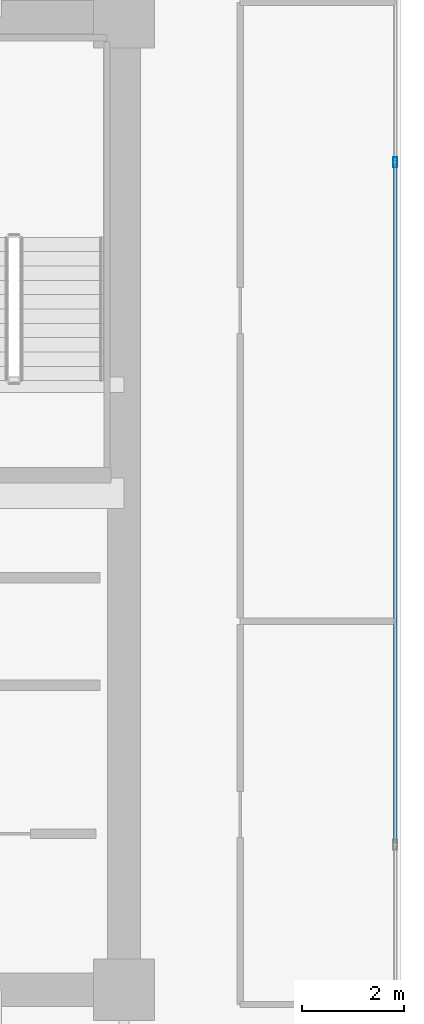
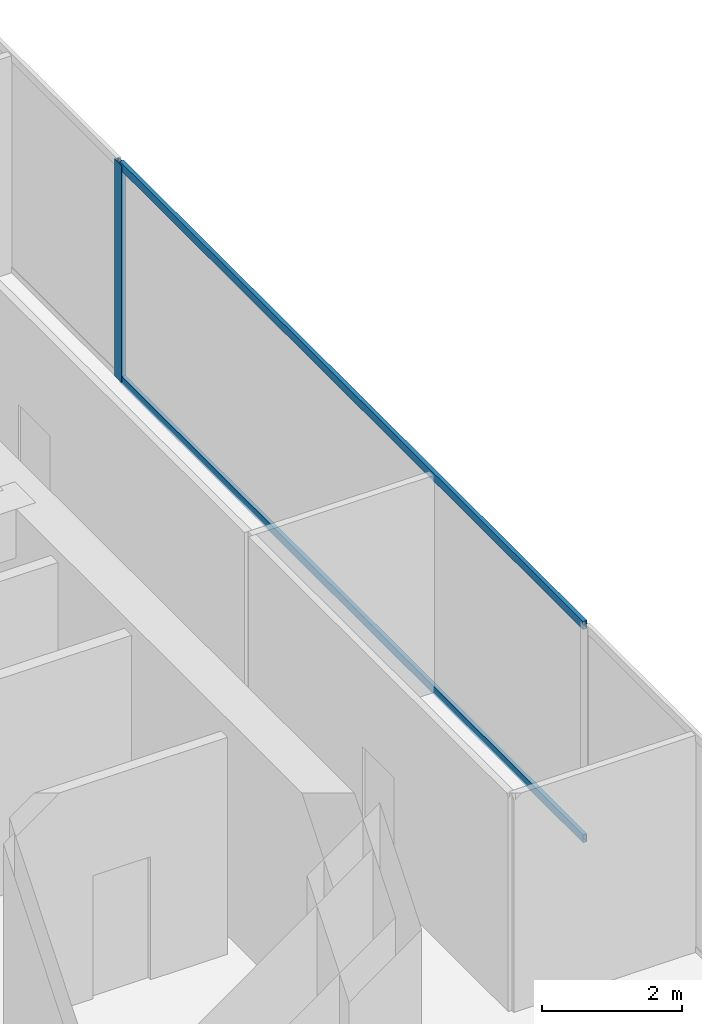
# One storey, part 22 of 31: 3 members, 1 element without a shape of its own.
"""IFC4 building model written with IfcOpenShell, lengths in metres."""

import ifcopenshell
import ifcopenshell.guid

model = None  # the IFC model being written
_history = None  # IfcOwnerHistory: only IFC2X3 demands one
_inside = {}  # id of a spatial element -> (the spatial element, [elements in it])
_under = {}  # id of a project, library or spatial element -> (it, [spatial elements below it])
_declared = {}  # id of a project -> (the project, [libraries it declares])
_typed = {}  # id of a type object -> (the type object, [elements of that type])
_made_of = {}  # id of a material, layer set ... -> (it, [elements and type objects made of it])


def new_model(schema):
    """Start an empty IFC model of exactly this schema.

    Asked for "IFC4X3", IfcOpenShell would pick the latest addendum, in which some entities
    have other attributes; the version numbers below select the first issue.
    IFC2X3 requires an IfcOwnerHistory on every rooted entity: one is made here for all.
    """
    global model, _history
    if schema == "IFC4X3":
        model = ifcopenshell.file(schema_version=(4, 3, 0, 0))
    else:
        model = ifcopenshell.file(schema=schema)
    _inside.clear()
    _under.clear()
    _declared.clear()
    _typed.clear()
    _made_of.clear()
    _history = None
    if model.schema == "IFC2X3":
        org = make("IfcOrganization", Name="unknown")
        user = make(
            "IfcPersonAndOrganization",
            ThePerson=make("IfcPerson", FamilyName="unknown"),
            TheOrganization=org,
        )
        app = make(
            "IfcApplication",
            ApplicationDeveloper=org,
            Version="unknown",
            ApplicationFullName="unknown",
            ApplicationIdentifier="unknown",
        )
        _history = make(
            "IfcOwnerHistory",
            OwningUser=user,
            OwningApplication=app,
            ChangeAction="ADDED",
            CreationDate=0,
        )
    return model


def make(cls, **values):
    """One entity of the class cls with the attributes given. An attribute that is None is left unset."""
    return model.create_entity(
        cls, **{name: value for name, value in values.items() if value is not None}
    )


def rooted(cls, **values):
    """An entity with a GlobalId (a new one), such as an element, a storey or a relation."""
    return make(cls, GlobalId=ifcopenshell.guid.new(), OwnerHistory=_history, **values)


def si_unit(unit_type, name, prefix=None):
    """IfcSIUnit, for example si_unit("LENGTHUNIT", "METRE", prefix="MILLI")."""
    return make("IfcSIUnit", UnitType=unit_type, Prefix=prefix, Name=name)


def assignment(units):
    """IfcUnitAssignment: the units of a project."""
    return None if units is None else make("IfcUnitAssignment", Units=units)


def point(xyz):
    """IfcCartesianPoint."""
    return None if xyz is None else make("IfcCartesianPoint", Coordinates=xyz)


def direction(xyz):
    """IfcDirection."""
    return None if xyz is None else make("IfcDirection", DirectionRatios=xyz)


def frame(location, z_axis=None, x_axis=None):
    """IfcAxis2Placement3D, a coordinate frame: its origin and axes. An axis left out is left unset."""
    return make(
        "IfcAxis2Placement3D",
        Location=point(location),
        Axis=direction(z_axis),
        RefDirection=direction(x_axis),
    )


def frame_2d(location, x_axis=None):
    """IfcAxis2Placement2D, a coordinate frame in the plane: its origin and x axis."""
    return make(
        "IfcAxis2Placement2D", Location=point(location), RefDirection=direction(x_axis)
    )


def origin():
    """The frame at (0, 0, 0) with its axes left unset."""
    return frame((0.0, 0.0, 0.0))


def origin_2d():
    """The frame at (0, 0) in the plane with its x axis left unset."""
    return frame_2d((0.0, 0.0))


def place(relative_to, where):
    """IfcLocalPlacement: puts the frame where relative to a parent placement (None: the world)."""
    return make(
        "IfcLocalPlacement", PlacementRelTo=relative_to, RelativePlacement=where
    )


def context(
    kind, dimensions, precision=None, world=None, true_north=None, identifier=None
):
    """IfcGeometricRepresentationContext, for example the 3D "Model" context."""
    return make(
        "IfcGeometricRepresentationContext",
        ContextIdentifier=identifier,
        ContextType=kind,
        CoordinateSpaceDimension=dimensions,
        Precision=precision,
        WorldCoordinateSystem=world,
        TrueNorth=true_north,
    )


def subcontext(parent, identifier, kind, view, scale=None):
    """IfcGeometricRepresentationSubContext, for example "Body" below "Model"."""
    return make(
        "IfcGeometricRepresentationSubContext",
        ContextIdentifier=identifier,
        ContextType=kind,
        ParentContext=parent,
        TargetScale=scale,
        TargetView=view,
    )


def project(units=None, contexts=None):
    """IfcProject with its units and contexts."""
    return rooted(
        "IfcProject",
        Name="project",
        RepresentationContexts=contexts,
        UnitsInContext=assignment(units),
    )


def spatial(cls, under=None, at=None, **own):
    """A site, building, storey or space (cls), placed at a placement, below another one or the project."""
    s = rooted(cls, ObjectPlacement=at, **own)
    if under is not None:
        _under.setdefault(under.id(), (under, []))[1].append(s)
    return s


def profile(cls, at=None, kind="AREA", **sizes):
    """A parametric profile (cls). Its sizes go by their IFC names, for example OverallWidth=200.0."""
    return make(cls, ProfileType=kind, Position=at, **sizes)


def hollow_rectangle(**sizes):
    """IfcRectangleHollowProfileDef."""
    return profile("IfcRectangleHollowProfileDef", **sizes)


def extrude(swept, where, along, depth):
    """IfcExtrudedAreaSolid: the profile swept, set in the frame where, extruded along a direction by depth."""
    return make(
        "IfcExtrudedAreaSolid",
        SweptArea=swept,
        Position=where,
        ExtrudedDirection=direction(along),
        Depth=depth,
    )


def shape(context_of_items, identifier, shape_type, items):
    """IfcShapeRepresentation: the items that make up one representation, for example the "Body"."""
    return make(
        "IfcShapeRepresentation",
        ContextOfItems=context_of_items,
        RepresentationIdentifier=identifier,
        RepresentationType=shape_type,
        Items=items,
    )


def source(mapping_origin, context_of_items, identifier, shape_type, items):
    """IfcRepresentationMap: a shape defined once, which mapped items show again and again."""
    return make(
        "IfcRepresentationMap",
        MappingOrigin=mapping_origin,
        MappedRepresentation=shape(context_of_items, identifier, shape_type, items),
    )


def transform(
    local_origin,
    x_axis=None,
    y_axis=None,
    z_axis=None,
    scale=None,
    scale2=None,
    scale3=None,
    uniform=True,
):
    """IfcCartesianTransformationOperator3D, or its non-uniform kind. x_axis, y_axis, z_axis: its Axis1, 2, 3."""
    if uniform:
        return make(
            "IfcCartesianTransformationOperator3D",
            Axis1=direction(x_axis),
            Axis2=direction(y_axis),
            LocalOrigin=point(local_origin),
            Scale=scale,
            Axis3=direction(z_axis),
        )
    return make(
        "IfcCartesianTransformationOperator3DnonUniform",
        Axis1=direction(x_axis),
        Axis2=direction(y_axis),
        LocalOrigin=point(local_origin),
        Scale=scale,
        Axis3=direction(z_axis),
        Scale2=scale2,
        Scale3=scale3,
    )


def mapped(mapping_source, mapping_target):
    """IfcMappedItem: shows the shape of a source again, moved by a transform."""
    return make(
        "IfcMappedItem", MappingSource=mapping_source, MappingTarget=mapping_target
    )


def material(Name=None, Category=None):
    """IfcMaterial."""
    return make("IfcMaterial", Name=Name, Category=Category)


def layer(
    of_material, thickness, ventilated=None, Name=None, Category=None, Priority=None
):
    """IfcMaterialLayer: one layer of a wall or slab, of a material (None: an air gap)."""
    return make(
        "IfcMaterialLayer",
        Material=of_material,
        LayerThickness=thickness,
        IsVentilated=ventilated,
        Name=Name,
        Category=Category,
        Priority=Priority,
    )


def layer_set(layers, Name=None):
    """IfcMaterialLayerSet."""
    return make("IfcMaterialLayerSet", MaterialLayers=layers, LayerSetName=Name)


def material_profile(
    of_material, cross_section, Name=None, Category=None, Priority=None
):
    """IfcMaterialProfile: a cross section and its material."""
    return make(
        "IfcMaterialProfile",
        Name=Name,
        Material=of_material,
        Profile=cross_section,
        Priority=Priority,
        Category=Category,
    )


def profile_set(profiles, Name=None, composite=None):
    """IfcMaterialProfileSet."""
    return make(
        "IfcMaterialProfileSet",
        Name=Name,
        MaterialProfiles=profiles,
        CompositeProfile=composite,
    )


def made_of(thing, what):
    """Note that an element or type object is made of a material, layer set ...; save() writes the relation."""
    if what is not None:
        _made_of.setdefault(what.id(), (what, []))[1].append(thing)
    return thing


def type_object(cls, material=None, **own):
    """A type object (cls), such as IfcWallType, which elements share."""
    return made_of(rooted(cls, **own), material)


def type_shapes(of_type, sources):
    """Give a type object the sources (RepresentationMaps) that its elements show as mapped items."""
    of_type.RepresentationMaps = sources


def element(
    cls,
    number,
    at=None,
    inside=None,
    cuts=None,
    type_object=None,
    material=None,
    context=None,
    identifier="Body",
    shape_type=None,
    held_by="IfcProductDefinitionShape",
    body=None,
    shapes=None,
    **own,
):
    """One element of the class cls, such as IfcWall. Its Tag is "e" and its number.

    at: its placement. inside: the storey or other place that contains it. cuts: it is an
    opening in that element (IfcRelVoidsElement). A single representation is given by context,
    identifier, shape_type and body (its items); several are given by shapes. held_by: the class
    of the entity that holds the representations. save() writes the other relations.
    """
    e = rooted(cls, Tag="e%d" % number, ObjectPlacement=at, **own)
    if body is not None:
        shapes = [shape(context, identifier, shape_type, body)]
    if shapes is not None:
        e.Representation = make(held_by, Representations=shapes)
    if inside is not None:
        _inside.setdefault(inside.id(), (inside, []))[1].append(e)
    if cuts is not None:
        rooted(
            "IfcRelVoidsElement", RelatingBuildingElement=cuts, RelatedOpeningElement=e
        )
    if type_object is not None:
        _typed.setdefault(type_object.id(), (type_object, []))[1].append(e)
    return made_of(e, material)


def aggregate(whole, parts):
    """IfcRelAggregates: a whole, such as a stair, and the parts it consists of."""
    return rooted("IfcRelAggregates", RelatingObject=whole, RelatedObjects=parts)


def save(model, path):
    """Write the relations noted so far, then the file.

    IfcRelAggregates (storeys below a building ...), IfcRelContainedInSpatialStructure (elements
    in a storey), IfcRelDefinesByType, IfcRelAssociatesMaterial and IfcRelDeclares: one each for
    every whole, place, type object, material and project.
    """
    for whole, parts in _under.values():
        aggregate(whole, parts)
    for where, things in _inside.values():
        rooted(
            "IfcRelContainedInSpatialStructure",
            RelatedElements=things,
            RelatingStructure=where,
        )
    for kind, things in _typed.values():
        rooted("IfcRelDefinesByType", RelatedObjects=things, RelatingType=kind)
    for what, things in _made_of.values():
        rooted("IfcRelAssociatesMaterial", RelatedObjects=things, RelatingMaterial=what)
    for by, libraries in _declared.values():
        rooted("IfcRelDeclares", RelatingContext=by, RelatedDefinitions=libraries)
    model.write(path)


model = new_model("IFC4")

# Units and contexts
model_context = context("Model", 3, precision=1e-05, world=origin(), true_north=direction((0.0, 1.0)))
body_context = subcontext(model_context, "Body", "Model", "MODEL_VIEW")
ifc_project = project(units=[si_unit("LENGTHUNIT", "METRE"), si_unit("AREAUNIT", "SQUARE_METRE"), si_unit("VOLUMEUNIT", "CUBIC_METRE"), si_unit("PLANEANGLEUNIT", "RADIAN"), si_unit("MASSUNIT", "GRAM", prefix="KILO")], contexts=[model_context])

# Site, building, storey
site_placement = place(None, origin())
site = spatial("IfcSite", under=ifc_project, at=site_placement, CompositionType="ELEMENT")
building_placement = place(site_placement, origin())
building = spatial("IfcBuilding", under=site, at=building_placement, Name="Haelvirn Gate Laboratories", CompositionType="ELEMENT")
storey_placement = place(building_placement, frame((0.0, 0.0, 174.800048828125)))
storey = spatial("IfcBuildingStorey", under=building, at=storey_placement, Name="L42", CompositionType="ELEMENT", Elevation=174.800048828125)

# Curtain wall, members
ifc_material_1 = material(Name="Anodised bronze unitised aluminium & triple low-E glass", Category="aluminium")
ifc_layer = layer(ifc_material_1, 0.179931640625, Name="CW-SYS-3")
ifc_layer_set = layer_set([ifc_layer], Name="Anodised bronze unitised aluminium & triple low-E glass")
curtain_wall_type = type_object("IfcCurtainWallType", Name="CW-SYS-3", PredefinedType="NOTDEFINED", material=ifc_layer_set)
curtain_wall_placement = place(storey_placement, origin())
curtain_wall = element("IfcCurtainWall", 1, at=curtain_wall_placement, inside=storey, type_object=curtain_wall_type, Name="L42 Unitised Curtain Wall CW-L42-P0-E07", PredefinedType="NOTDEFINED")
ifc_material_2 = material(Name="Extruded aluminium 6063-T6 (anodised bronze)", Category="aluminium")
ifc_material_profile_1 = material_profile(ifc_material_2, hollow_rectangle(XDim=0.06494140625, YDim=0.139892578125, WallThickness=0.00390625, at=origin_2d()), Name="CWT-140x65x4")
ifc_profile_set_1 = profile_set([ifc_material_profile_1], Name="Extruded aluminium 6063-T6 (anodised bronze)")
member_type_1 = type_object("IfcMemberType", Name="CWT-T140", PredefinedType="USERDEFINED", material=ifc_profile_set_1)
shared_shape_1 = source(origin(), body_context, "Body", "SweptSolid", [
    extrude(hollow_rectangle(XDim=0.06494140625, YDim=0.139892578125, WallThickness=0.00390625, at=origin_2d()), origin(), (0.0, 0.0, 1.0), 13.25830078125),
])
type_shapes(member_type_1, [shared_shape_1])
member_1_placement = place(storey_placement, frame((72.699951171875, 17.6708984375, 0.032470703125), z_axis=(0.0, 1.0, 0.0), x_axis=(-1.0, 0.0, 0.0)))
member_1 = element("IfcMember", 2, at=member_1_placement, type_object=member_type_1, Name="CW3 transom 2.1", ObjectType="TRANSOM", PredefinedType="USERDEFINED", context=body_context, shape_type="MappedRepresentation", body=[
    mapped(shared_shape_1, transform((0.0, 0.0, 0.0), scale=1.0)),
])
member_2_placement = place(storey_placement, frame((72.699951171875, 17.6708984375, 3.757568359375), z_axis=(0.0, 1.0, 0.0), x_axis=(-1.0, 0.0, 0.0)))
member_2 = element("IfcMember", 3, at=member_2_placement, type_object=member_type_1, Name="CW3 transom 2.2", ObjectType="TRANSOM", PredefinedType="USERDEFINED", context=body_context, shape_type="MappedRepresentation", body=[
    mapped(shared_shape_1, transform((0.0, 0.0, 0.0), scale=1.0)),
])
ifc_material_profile_2 = material_profile(ifc_material_2, hollow_rectangle(XDim=0.074951171875, YDim=0.199951171875, WallThickness=0.0048828125, at=origin_2d()), Name="CWM-200x75x5")
ifc_profile_set_2 = profile_set([ifc_material_profile_2], Name="Extruded aluminium 6063-T6 (anodised bronze)")
member_type_2 = type_object("IfcMemberType", Name="CWM-T200", PredefinedType="MULLION", material=ifc_profile_set_2)
shared_shape_2 = source(origin(), body_context, "Body", "SweptSolid", [
    extrude(hollow_rectangle(XDim=0.074951171875, YDim=0.199951171875, WallThickness=0.0048828125, at=origin_2d()), origin(), (0.0, 0.0, 1.0), 3.7900390625),
])
type_shapes(member_type_2, [shared_shape_2])
member_3_placement = place(storey_placement, frame((72.699951171875, 30.966552734375, 0.0), z_axis=(0.0, 0.0, 1.0), x_axis=(-1.0, 0.0, 0.0)))
member_3 = element("IfcMember", 4, at=member_3_placement, type_object=member_type_2, Name="CW3 mullion 3", PredefinedType="MULLION", context=body_context, shape_type="MappedRepresentation", body=[
    mapped(shared_shape_2, transform((0.0, 0.0, 0.0), scale=1.0)),
])
aggregate(curtain_wall, [member_3, member_1, member_2])

save(model, "model.ifc")
